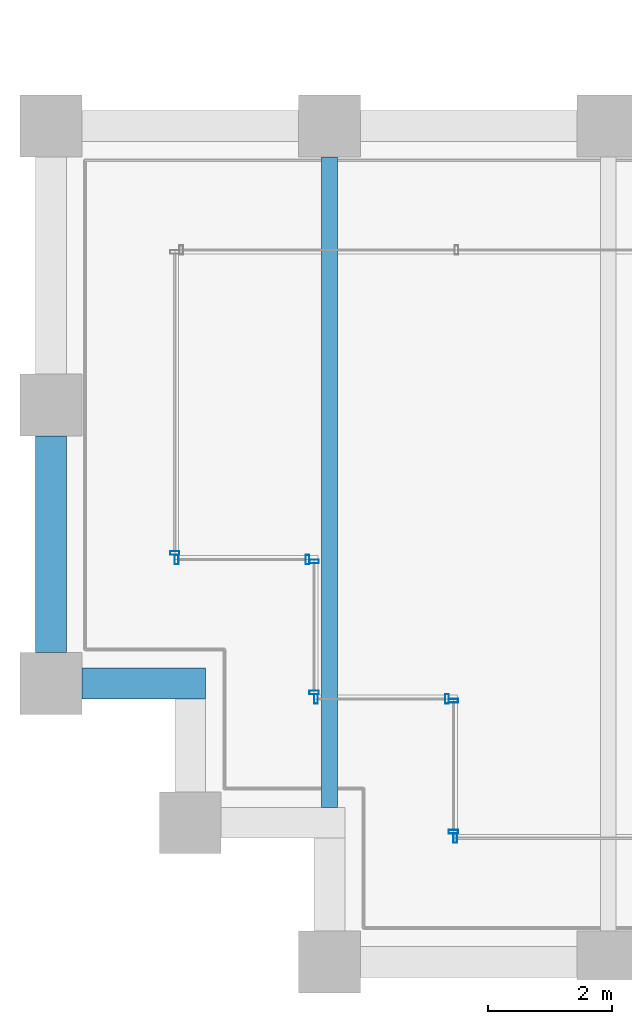
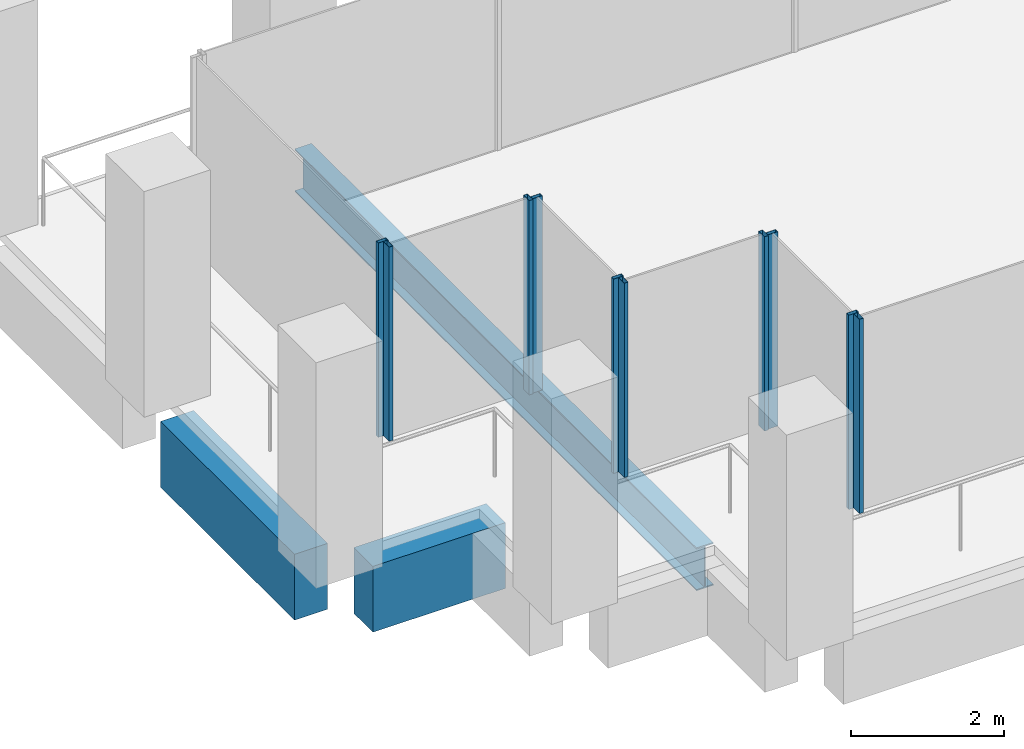
# One storey, part 2 of 46: 10 members, 3 beams, 6 elements without a shape of their own.
"""IFC4 building model written with IfcOpenShell, lengths in metres."""

from ifc_helpers import new_model, si_unit, direction, frame, origin, origin_2d, place, context, subcontext, project, spatial, rectangle, hollow_rectangle, i_section, extrude, material, material_profile, profile_set, type_object, element, aggregate, save


model = new_model("IFC4")

# Units and contexts
model_context = context("Model", 3, precision=1e-05, world=origin(), true_north=direction((0.0, 1.0)))
body_context = subcontext(model_context, "Body", "Model", "MODEL_VIEW")
ifc_project = project(units=[si_unit("LENGTHUNIT", "METRE"), si_unit("AREAUNIT", "SQUARE_METRE"), si_unit("VOLUMEUNIT", "CUBIC_METRE"), si_unit("PLANEANGLEUNIT", "RADIAN"), si_unit("MASSUNIT", "GRAM", prefix="KILO")], contexts=[model_context])

# Site, building, storey
site_placement = place(None, origin())
site = spatial("IfcSite", under=ifc_project, at=site_placement, CompositionType="ELEMENT")
building_placement = place(site_placement, origin())
building = spatial("IfcBuilding", under=site, at=building_placement, Name="Altepetl Exchange Towers", CompositionType="ELEMENT")
storey_placement = place(building_placement, frame((0.0, 0.0, 120.800048828125)))
storey = spatial("IfcBuildingStorey", under=building, at=storey_placement, Name="L29", CompositionType="ELEMENT", Elevation=120.800048828125)

# Beam
ifc_material_1 = material(Name="Steel S355", Category="steel")
ifc_material_profile_1 = material_profile(ifc_material_1, i_section(OverallWidth=0.25390625, OverallDepth=0.68408203125, WebThickness=0.012451171875, FlangeThickness=0.018798828125, at=origin_2d()), Name="W27X94")
ifc_profile_set_1 = profile_set([ifc_material_profile_1], Name="Steel S355")
beam_type_1 = type_object("IfcBeamType", Name="Floor beam W27X94", PredefinedType="BEAM", material=ifc_profile_set_1)
beam_1_placement = place(storey_placement, frame((31.5, 29.5, -0.491943359375), z_axis=(0.0, 1.0, 0.0), x_axis=(-1.0, 0.0, 0.0)))
element("IfcBeam", 1, at=beam_1_placement, inside=storey, type_object=beam_type_1, Name="bm:A:L29:012", PredefinedType="BEAM", context=body_context, shape_type="SweptSolid", body=[
    extrude(i_section(OverallWidth=0.25390625, OverallDepth=0.68408203125, WebThickness=0.012451171875, FlangeThickness=0.018798828125, at=origin_2d()), origin(), (0.0, 0.0, 1.0), 10.5),
])

# Curtain wall, member
ifc_material_2 = material(Name="Aluminium 6063-T6 glazing", Category="aluminium")
curtain_wall_type = type_object("IfcCurtainWallType", Name="Loggia glazing system", PredefinedType="NOTDEFINED", material=ifc_material_2)
curtain_wall_1_placement = place(storey_placement, origin())
curtain_wall_1 = element("IfcCurtainWall", 2, at=curtain_wall_1_placement, inside=storey, type_object=curtain_wall_type, Name="CW1 run", PredefinedType="NOTDEFINED")
ifc_material_3 = material(Name="Aluminium 6063-T6", Category="aluminium")
ifc_material_profile_2 = material_profile(ifc_material_3, hollow_rectangle(XDim=0.06005859375, YDim=0.14990234375, WallThickness=0.0029296875, at=origin_2d()), Name="Mullion 60x150 aluminium")
ifc_profile_set_2 = profile_set([ifc_material_profile_2], Name="Aluminium 6063-T6")
member_type = type_object("IfcMemberType", Name="Mullion 60x150 aluminium", PredefinedType="MULLION", material=ifc_profile_set_2)
member_1_placement = place(storey_placement, frame((29.0, 33.60498046875, 0.0), z_axis=(0.0, 0.0, 1.0), x_axis=(0.0, -1.0, 0.0)))
member_1 = element("IfcMember", 3, at=member_1_placement, type_object=member_type, Name="MU1 mullion", PredefinedType="MULLION", context=body_context, shape_type="SweptSolid", body=[
    extrude(hollow_rectangle(XDim=0.06005859375, YDim=0.14990234375, WallThickness=0.0029296875, at=origin_2d()), origin(), (0.0, 0.0, 1.0), 3.099853515625),
])
aggregate(curtain_wall_1, [member_1])

# Curtain wall, members
curtain_wall_2_placement = place(storey_placement, origin())
curtain_wall_2 = element("IfcCurtainWall", 4, at=curtain_wall_2_placement, inside=storey, type_object=curtain_wall_type, Name="CW1 run", PredefinedType="NOTDEFINED")
member_2_placement = place(storey_placement, frame((29.030029296875, 33.5, 0.0)))
member_2 = element("IfcMember", 5, at=member_2_placement, type_object=member_type, Name="MU1 mullion", PredefinedType="MULLION", context=body_context, shape_type="SweptSolid", body=[
    extrude(hollow_rectangle(XDim=0.06005859375, YDim=0.14990234375, WallThickness=0.0029296875, at=origin_2d()), origin(), (0.0, 0.0, 1.0), 3.099853515625),
])
member_3_placement = place(storey_placement, frame((31.14501953125, 33.5, 0.0)))
member_3 = element("IfcMember", 6, at=member_3_placement, type_object=member_type, Name="MU1 mullion", PredefinedType="MULLION", context=body_context, shape_type="SweptSolid", body=[
    extrude(hollow_rectangle(XDim=0.06005859375, YDim=0.14990234375, WallThickness=0.0029296875, at=origin_2d()), origin(), (0.0, 0.0, 1.0), 3.099853515625),
])
aggregate(curtain_wall_2, [member_2, member_3])

curtain_wall_3_placement = place(storey_placement, origin())
curtain_wall_3 = element("IfcCurtainWall", 7, at=curtain_wall_3_placement, inside=storey, type_object=curtain_wall_type, Name="CW1 run", PredefinedType="NOTDEFINED")
member_4_placement = place(storey_placement, frame((31.25, 33.469970703125, 0.0), z_axis=(0.0, 0.0, 1.0), x_axis=(0.0, -1.0, 0.0)))
member_4 = element("IfcMember", 8, at=member_4_placement, type_object=member_type, Name="MU1 mullion", PredefinedType="MULLION", context=body_context, shape_type="SweptSolid", body=[
    extrude(hollow_rectangle(XDim=0.06005859375, YDim=0.14990234375, WallThickness=0.0029296875, at=origin_2d()), origin(), (0.0, 0.0, 1.0), 3.099853515625),
])
member_5_placement = place(storey_placement, frame((31.25, 31.35498046875, 0.0), z_axis=(0.0, 0.0, 1.0), x_axis=(0.0, -1.0, 0.0)))
member_5 = element("IfcMember", 9, at=member_5_placement, type_object=member_type, Name="MU1 mullion", PredefinedType="MULLION", context=body_context, shape_type="SweptSolid", body=[
    extrude(hollow_rectangle(XDim=0.06005859375, YDim=0.14990234375, WallThickness=0.0029296875, at=origin_2d()), origin(), (0.0, 0.0, 1.0), 3.099853515625),
])
aggregate(curtain_wall_3, [member_4, member_5])

curtain_wall_4_placement = place(storey_placement, origin())
curtain_wall_4 = element("IfcCurtainWall", 10, at=curtain_wall_4_placement, inside=storey, type_object=curtain_wall_type, Name="CW1 run", PredefinedType="NOTDEFINED")
member_6_placement = place(storey_placement, frame((31.280029296875, 31.25, 0.0)))
member_6 = element("IfcMember", 11, at=member_6_placement, type_object=member_type, Name="MU1 mullion", PredefinedType="MULLION", context=body_context, shape_type="SweptSolid", body=[
    extrude(hollow_rectangle(XDim=0.06005859375, YDim=0.14990234375, WallThickness=0.0029296875, at=origin_2d()), origin(), (0.0, 0.0, 1.0), 3.099853515625),
])
member_7_placement = place(storey_placement, frame((33.39501953125, 31.25, 0.0)))
member_7 = element("IfcMember", 12, at=member_7_placement, type_object=member_type, Name="MU1 mullion", PredefinedType="MULLION", context=body_context, shape_type="SweptSolid", body=[
    extrude(hollow_rectangle(XDim=0.06005859375, YDim=0.14990234375, WallThickness=0.0029296875, at=origin_2d()), origin(), (0.0, 0.0, 1.0), 3.099853515625),
])
aggregate(curtain_wall_4, [member_6, member_7])

curtain_wall_5_placement = place(storey_placement, origin())
curtain_wall_5 = element("IfcCurtainWall", 13, at=curtain_wall_5_placement, inside=storey, type_object=curtain_wall_type, Name="CW1 run", PredefinedType="NOTDEFINED")
member_8_placement = place(storey_placement, frame((33.5, 31.219970703125, 0.0), z_axis=(0.0, 0.0, 1.0), x_axis=(0.0, -1.0, 0.0)))
member_8 = element("IfcMember", 14, at=member_8_placement, type_object=member_type, Name="MU1 mullion", PredefinedType="MULLION", context=body_context, shape_type="SweptSolid", body=[
    extrude(hollow_rectangle(XDim=0.06005859375, YDim=0.14990234375, WallThickness=0.0029296875, at=origin_2d()), origin(), (0.0, 0.0, 1.0), 3.099853515625),
])
member_9_placement = place(storey_placement, frame((33.5, 29.10498046875, 0.0), z_axis=(0.0, 0.0, 1.0), x_axis=(0.0, -1.0, 0.0)))
member_9 = element("IfcMember", 15, at=member_9_placement, type_object=member_type, Name="MU1 mullion", PredefinedType="MULLION", context=body_context, shape_type="SweptSolid", body=[
    extrude(hollow_rectangle(XDim=0.06005859375, YDim=0.14990234375, WallThickness=0.0029296875, at=origin_2d()), origin(), (0.0, 0.0, 1.0), 3.099853515625),
])
aggregate(curtain_wall_5, [member_8, member_9])

# Curtain wall, member
curtain_wall_6_placement = place(storey_placement, origin())
curtain_wall_6 = element("IfcCurtainWall", 16, at=curtain_wall_6_placement, inside=storey, type_object=curtain_wall_type, Name="CW1 run", PredefinedType="NOTDEFINED")
member_10_placement = place(storey_placement, frame((33.530029296875, 29.0, 0.0)))
member_10 = element("IfcMember", 17, at=member_10_placement, type_object=member_type, Name="MU1 mullion", PredefinedType="MULLION", context=body_context, shape_type="SweptSolid", body=[
    extrude(hollow_rectangle(XDim=0.06005859375, YDim=0.14990234375, WallThickness=0.0029296875, at=origin_2d()), origin(), (0.0, 0.0, 1.0), 3.099853515625),
])
aggregate(curtain_wall_6, [member_10])

# Beams
ifc_material_4 = material(Name="Concrete C50/60 precast with cantera blanca facing", Category="concrete")
ifc_material_profile_3 = material_profile(ifc_material_4, rectangle(XDim=0.5, YDim=1.050048828125, at=origin_2d()), Name="500 x 1050")
ifc_profile_set_3 = profile_set([ifc_material_profile_3], Name="Concrete C50/60 precast with cantera blanca facing")
beam_type_2 = type_object("IfcBeamType", Name="Spandrel beam 500x1050 cantera blanca", PredefinedType="SPANDREL", material=ifc_profile_set_3)
beam_2_placement = place(storey_placement, frame((27.0, 35.5, -0.675048828125), z_axis=(0.0, -1.0, 0.0), x_axis=(1.0, 0.0, 0.0)))
element("IfcBeam", 18, at=beam_2_placement, inside=storey, type_object=beam_type_2, Name="sp:A:L29:037", PredefinedType="SPANDREL", context=body_context, shape_type="SweptSolid", body=[
    extrude(rectangle(XDim=0.5, YDim=1.050048828125, at=origin_2d()), origin(), (0.0, 0.0, 1.0), 3.5),
])
beam_3_placement = place(storey_placement, frame((27.5, 31.5, -0.675048828125), z_axis=(1.0, 0.0, 0.0), x_axis=(0.0, 1.0, 0.0)))
element("IfcBeam", 19, at=beam_3_placement, inside=storey, type_object=beam_type_2, Name="sp:A:L29:038", PredefinedType="SPANDREL", context=body_context, shape_type="SweptSolid", body=[
    extrude(rectangle(XDim=0.5, YDim=1.050048828125, at=origin_2d()), origin(), (0.0, 0.0, 1.0), 2.0),
])

save(model, "model.ifc")
